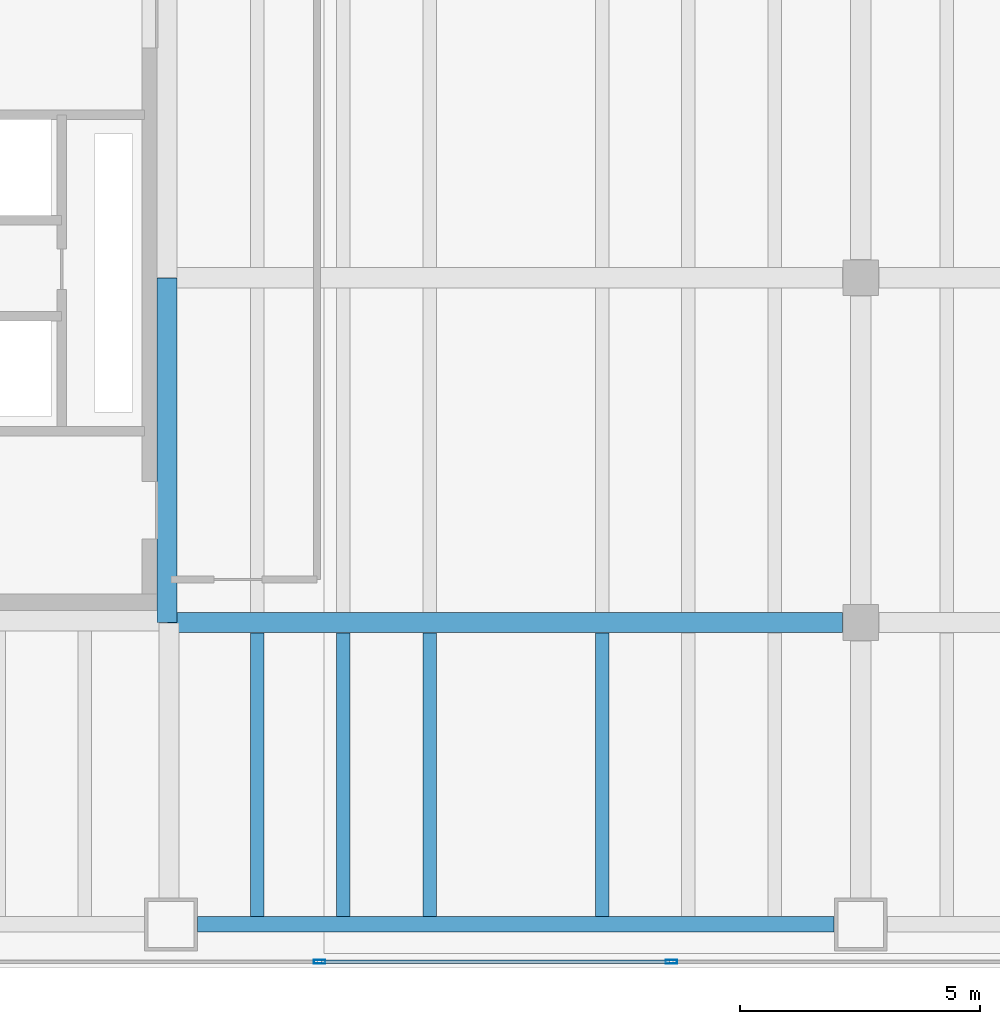
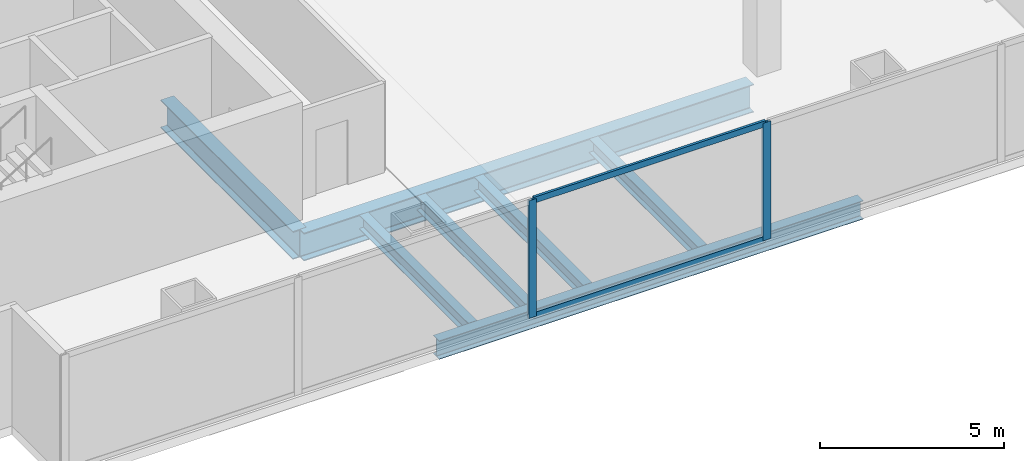
# One storey, part 3 of 32: 7 beams, 4 members, 1 element without a shape of its own.
"""IFC4 building model written with IfcOpenShell, lengths in metres."""

from ifc_helpers import new_model, si_unit, direction, frame, origin, origin_2d, place, context, subcontext, project, spatial, hollow_rectangle, i_section, extrude, material, material_profile, profile_set, type_object, element, aggregate, save


model = new_model("IFC4")

# Units and contexts
model_context = context("Model", 3, precision=1e-05, world=origin(), true_north=direction((0.0, 1.0)))
body_context = subcontext(model_context, "Body", "Model", "MODEL_VIEW")
ifc_project = project(units=[si_unit("LENGTHUNIT", "METRE"), si_unit("AREAUNIT", "SQUARE_METRE"), si_unit("VOLUMEUNIT", "CUBIC_METRE"), si_unit("PLANEANGLEUNIT", "RADIAN"), si_unit("MASSUNIT", "GRAM", prefix="KILO")], contexts=[model_context])

# Site, building, storey
site_placement = place(None, origin())
site = spatial("IfcSite", under=ifc_project, at=site_placement, CompositionType="ELEMENT")
building_placement = place(site_placement, origin())
building = spatial("IfcBuilding", under=site, at=building_placement, Name="Cobrela Telecom Tower", CompositionType="ELEMENT")
storey_placement = place(building_placement, frame((0.0, 0.0, 22.050048828125)))
storey = spatial("IfcBuildingStorey", under=building, at=storey_placement, Name="L05", CompositionType="ELEMENT", Elevation=22.050048828125)

# Beams
ifc_material_1 = material(Name="Steel ASTM A992 Grade 50", Category="steel")
ifc_material_profile_1 = material_profile(ifc_material_1, i_section(OverallWidth=0.4189453125, OverallDepth=0.927001953125, WebThickness=0.019287109375, FlangeThickness=0.031982421875, FilletRadius=0.02392578125, at=origin_2d()), Name="W36X231")
ifc_profile_set_1 = profile_set([ifc_material_profile_1], Name="Steel ASTM A992 Grade 50")
beam_type_1 = type_object("IfcBeamType", Name="BM-GIRD-02", PredefinedType="USERDEFINED", material=ifc_profile_set_1)
beam_1_placement = place(storey_placement, frame((14.324951171875, 7.199951171875, -0.753662109375), z_axis=(1.0, 0.0, 0.0), x_axis=(0.0, 1.0, 0.0)))
element("IfcBeam", 1, at=beam_1_placement, inside=storey, type_object=beam_type_1, Name="L05 Primary Girder X12", ObjectType="GIRDER", PredefinedType="USERDEFINED", context=body_context, shape_type="SweptSolid", body=[
    extrude(i_section(OverallWidth=0.4189453125, OverallDepth=0.927001953125, WebThickness=0.019287109375, FlangeThickness=0.031982421875, FilletRadius=0.02392578125, at=origin_2d()), origin(), (0.0, 0.0, 1.0), 14.094970703125),
])
beam_2_placement = place(storey_placement, frame((14.320068359375, 7.205078125, -0.753662109375), z_axis=(0.0, 1.0, 0.0), x_axis=(-1.0, 0.0, 0.0)))
element("IfcBeam", 2, at=beam_2_placement, inside=storey, type_object=beam_type_1, Name="L05 Primary Girder Y61", ObjectType="GIRDER", PredefinedType="USERDEFINED", context=body_context, shape_type="SweptSolid", body=[
    extrude(i_section(OverallWidth=0.4189453125, OverallDepth=0.927001953125, WebThickness=0.019287109375, FlangeThickness=0.031982421875, FilletRadius=0.02392578125, at=origin_2d()), origin(), (0.0, 0.0, 1.0), 7.18994140625),
])
ifc_material_profile_2 = material_profile(ifc_material_1, i_section(OverallWidth=0.281982421875, OverallDepth=0.467041015625, WebThickness=0.01220703125, FlangeThickness=0.01953125, FilletRadius=0.012939453125, at=origin_2d()), Name="W18X86")
ifc_profile_set_2 = profile_set([ifc_material_profile_2], Name="Steel ASTM A992 Grade 50")
beam_type_2 = type_object("IfcBeamType", Name="BM-JOIST-02", PredefinedType="JOIST", material=ifc_profile_set_2)
for number, where, z_axis, x_axis, name in (
    (3, (16.199951171875, 1.0673828125, -0.5234375), (0.0, 1.0, 0.0), (-1.0, 0.0, 0.0), "L05 Secondary Composite Floor Beam J13"),
    (4, (18.0, 1.0673828125, -0.5234375), (0.0, 1.0, 0.0), (-1.0, 0.0, 0.0), "L05 Secondary Composite Floor Beam J20"),
    (5, (19.800048828125, 1.0673828125, -0.5234375), (0.0, 1.0, 0.0), (-1.0, 0.0, 0.0), "L05 Secondary Composite Floor Beam J27"),
    (6, (23.39990234375, 1.0673828125, -0.5234375), (0.0, 1.0, 0.0), (-1.0, 0.0, 0.0), "L05 Secondary Composite Floor Beam J34"),
):
    element("IfcBeam", number, at=place(storey_placement, frame(where, z_axis=z_axis, x_axis=x_axis)), inside=storey, type_object=beam_type_2, Name=name, PredefinedType="JOIST", context=body_context, shape_type="SweptSolid", body=[
        extrude(i_section(OverallWidth=0.281982421875, OverallDepth=0.467041015625, WebThickness=0.01220703125, FlangeThickness=0.01953125, FilletRadius=0.012939453125, at=origin_2d()), origin(), (0.0, 0.0, 1.0), 5.918212890625),
    ])
ifc_material_profile_3 = material_profile(ifc_material_1, i_section(OverallWidth=0.324951171875, OverallDepth=0.612060546875, WebThickness=0.0126953125, FlangeThickness=0.01904296875, FilletRadius=0.014892578125, at=origin_2d()), Name="W24X104")
ifc_profile_set_3 = profile_set([ifc_material_profile_3], Name="Steel ASTM A992 Grade 50")
beam_type_3 = type_object("IfcBeamType", Name="BM-SPAND-02", PredefinedType="SPANDREL", material=ifc_profile_set_3)
beam_3_placement = place(storey_placement, frame((14.955078125, 0.89990234375, -0.595947265625), z_axis=(1.0, 0.0, 0.0), x_axis=(0.0, 1.0, 0.0)))
element("IfcBeam", 7, at=beam_3_placement, inside=storey, type_object=beam_type_3, Name="L05 Perimeter Spandrel X02", PredefinedType="SPANDREL", context=body_context, shape_type="SweptSolid", body=[
    extrude(i_section(OverallWidth=0.324951171875, OverallDepth=0.612060546875, WebThickness=0.0126953125, FlangeThickness=0.01904296875, FilletRadius=0.014892578125, at=origin_2d()), origin(), (0.0, 0.0, 1.0), 13.2900390625),
])

# Curtain wall, members
ifc_material_2 = material(Name="Anodized Bronze Aluminium 6063-T6", Category="aluminium")
curtain_wall_type = type_object("IfcCurtainWallType", Name="CW-SYS-CONC", PredefinedType="USERDEFINED", material=ifc_material_2)
curtain_wall_placement = place(storey_placement, origin())
curtain_wall = element("IfcCurtainWall", 8, at=curtain_wall_placement, inside=storey, type_object=curtain_wall_type, Name="L05 Unitised Bronze Curtain Wall 17", ObjectType="UNITISED CURTAIN WALL", PredefinedType="USERDEFINED")
ifc_material_profile_4 = material_profile(ifc_material_2, hollow_rectangle(XDim=0.080078125, YDim=0.239990234375, WallThickness=0.0048828125, at=origin_2d()), Name="ALU 80x240x5")
ifc_profile_set_4 = profile_set([ifc_material_profile_4], Name="Anodized Bronze Aluminium 6063-T6")
member_type_1 = type_object("IfcMemberType", Name="CW-SYS-CONC-MUL", PredefinedType="MULLION", material=ifc_profile_set_4)
member_1_placement = place(storey_placement, frame((24.845458984375, 0.1201171875, 0.0), z_axis=(0.0, 0.0, 1.0), x_axis=(0.0, -1.0, 0.0)))
member_1 = element("IfcMember", 9, at=member_1_placement, type_object=member_type_1, Name="CW-CONC mullion 9", PredefinedType="MULLION", context=body_context, shape_type="SweptSolid", body=[
    extrude(hollow_rectangle(XDim=0.080078125, YDim=0.239990234375, WallThickness=0.0048828125, at=origin_2d()), origin(), (0.0, 0.0, 1.0), 3.89990234375),
])
member_2_placement = place(storey_placement, frame((17.503662109375, 0.1201171875, 0.0), z_axis=(0.0, 0.0, 1.0), x_axis=(0.0, -1.0, 0.0)))
member_2 = element("IfcMember", 10, at=member_2_placement, type_object=member_type_1, Name="CW-CONC mullion 10", PredefinedType="MULLION", context=body_context, shape_type="SweptSolid", body=[
    extrude(hollow_rectangle(XDim=0.080078125, YDim=0.239990234375, WallThickness=0.0048828125, at=origin_2d()), origin(), (0.0, 0.0, 1.0), 3.89990234375),
])
ifc_material_profile_5 = material_profile(ifc_material_2, hollow_rectangle(XDim=0.080078125, YDim=0.199951171875, WallThickness=0.00390625, at=origin_2d()), Name="ALU 80x200x4")
ifc_profile_set_5 = profile_set([ifc_material_profile_5], Name="Anodized Bronze Aluminium 6063-T6")
member_type_2 = type_object("IfcMemberType", Name="CW-SYS-CONC-TRN", PredefinedType="USERDEFINED", material=ifc_profile_set_5)
member_3_placement = place(storey_placement, frame((24.805419921875, 0.1201171875, 0.0400390625), z_axis=(-1.0, 0.0, 0.0), x_axis=(0.0, -1.0, 0.0)))
member_3 = element("IfcMember", 11, at=member_3_placement, type_object=member_type_2, Name="CW-CONC transom 9.1", ObjectType="TRANSOM", PredefinedType="USERDEFINED", context=body_context, shape_type="SweptSolid", body=[
    extrude(hollow_rectangle(XDim=0.080078125, YDim=0.199951171875, WallThickness=0.00390625, at=origin_2d()), origin(), (0.0, 0.0, 1.0), 7.26171875),
])
member_4_placement = place(storey_placement, frame((24.805419921875, 0.1201171875, 3.85986328125), z_axis=(-1.0, 0.0, 0.0), x_axis=(0.0, -1.0, 0.0)))
member_4 = element("IfcMember", 12, at=member_4_placement, type_object=member_type_2, Name="CW-CONC transom 9.2", ObjectType="TRANSOM", PredefinedType="USERDEFINED", context=body_context, shape_type="SweptSolid", body=[
    extrude(hollow_rectangle(XDim=0.080078125, YDim=0.199951171875, WallThickness=0.00390625, at=origin_2d()), origin(), (0.0, 0.0, 1.0), 7.26171875),
])
aggregate(curtain_wall, [member_1, member_2, member_3, member_4])

save(model, "model.ifc")
